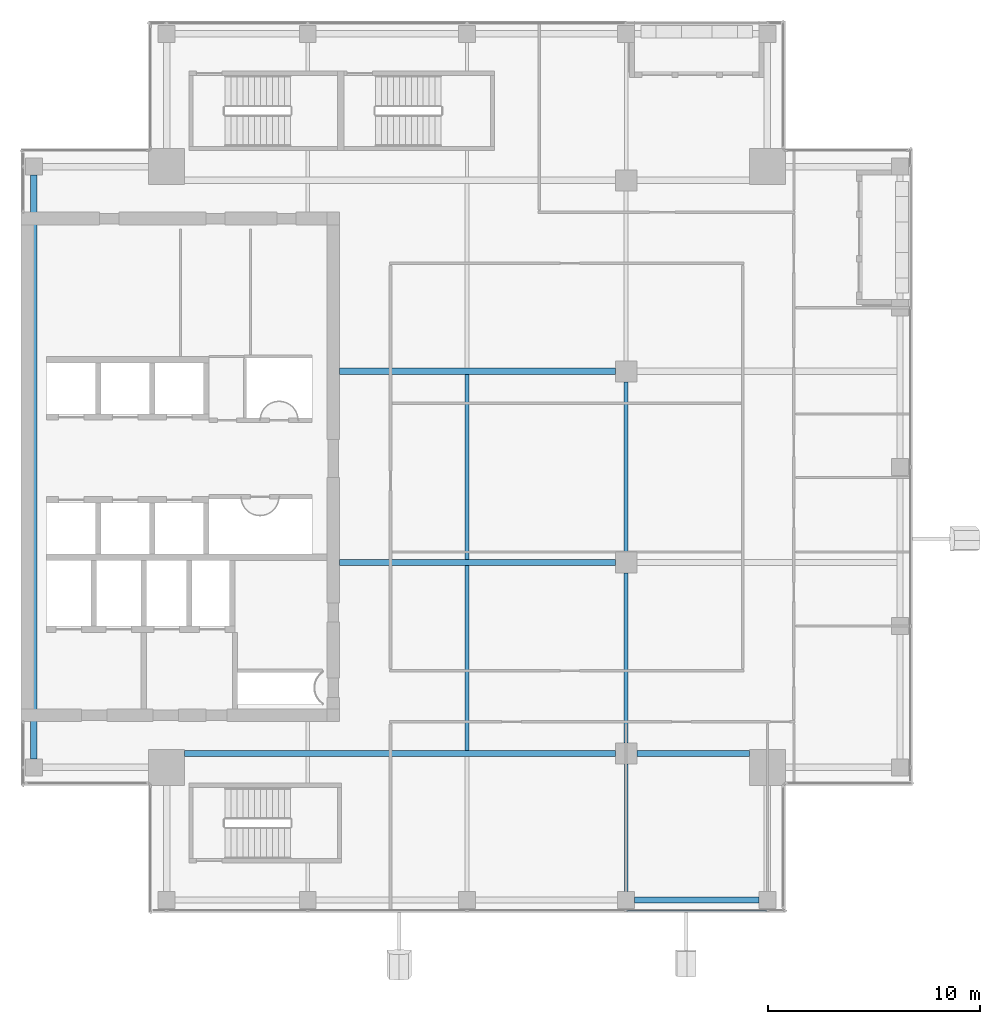
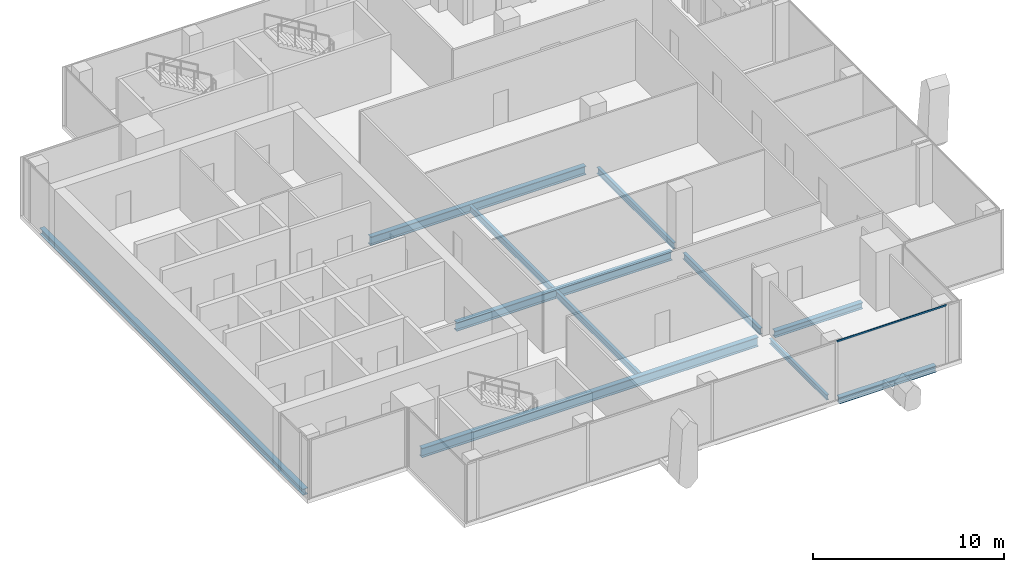
# One storey, part 6 of 28: 11 beams, 1 member, 1 element without a shape of its own.
"""IFC4 building model written with IfcOpenShell, lengths in metres."""

import ifcopenshell
import ifcopenshell.guid

model = None  # the IFC model being written
_history = None  # IfcOwnerHistory: only IFC2X3 demands one
_inside = {}  # id of a spatial element -> (the spatial element, [elements in it])
_under = {}  # id of a project, library or spatial element -> (it, [spatial elements below it])
_declared = {}  # id of a project -> (the project, [libraries it declares])
_typed = {}  # id of a type object -> (the type object, [elements of that type])
_made_of = {}  # id of a material, layer set ... -> (it, [elements and type objects made of it])


def new_model(schema):
    """Start an empty IFC model of exactly this schema.

    Asked for "IFC4X3", IfcOpenShell would pick the latest addendum, in which some entities
    have other attributes; the version numbers below select the first issue.
    IFC2X3 requires an IfcOwnerHistory on every rooted entity: one is made here for all.
    """
    global model, _history
    if schema == "IFC4X3":
        model = ifcopenshell.file(schema_version=(4, 3, 0, 0))
    else:
        model = ifcopenshell.file(schema=schema)
    _inside.clear()
    _under.clear()
    _declared.clear()
    _typed.clear()
    _made_of.clear()
    _history = None
    if model.schema == "IFC2X3":
        org = make("IfcOrganization", Name="unknown")
        user = make(
            "IfcPersonAndOrganization",
            ThePerson=make("IfcPerson", FamilyName="unknown"),
            TheOrganization=org,
        )
        app = make(
            "IfcApplication",
            ApplicationDeveloper=org,
            Version="unknown",
            ApplicationFullName="unknown",
            ApplicationIdentifier="unknown",
        )
        _history = make(
            "IfcOwnerHistory",
            OwningUser=user,
            OwningApplication=app,
            ChangeAction="ADDED",
            CreationDate=0,
        )
    return model


def make(cls, **values):
    """One entity of the class cls with the attributes given. An attribute that is None is left unset."""
    return model.create_entity(
        cls, **{name: value for name, value in values.items() if value is not None}
    )


def rooted(cls, **values):
    """An entity with a GlobalId (a new one), such as an element, a storey or a relation."""
    return make(cls, GlobalId=ifcopenshell.guid.new(), OwnerHistory=_history, **values)


def si_unit(unit_type, name, prefix=None):
    """IfcSIUnit, for example si_unit("LENGTHUNIT", "METRE", prefix="MILLI")."""
    return make("IfcSIUnit", UnitType=unit_type, Prefix=prefix, Name=name)


def assignment(units):
    """IfcUnitAssignment: the units of a project."""
    return None if units is None else make("IfcUnitAssignment", Units=units)


def point(xyz):
    """IfcCartesianPoint."""
    return None if xyz is None else make("IfcCartesianPoint", Coordinates=xyz)


def direction(xyz):
    """IfcDirection."""
    return None if xyz is None else make("IfcDirection", DirectionRatios=xyz)


def frame(location, z_axis=None, x_axis=None):
    """IfcAxis2Placement3D, a coordinate frame: its origin and axes. An axis left out is left unset."""
    return make(
        "IfcAxis2Placement3D",
        Location=point(location),
        Axis=direction(z_axis),
        RefDirection=direction(x_axis),
    )


def frame_2d(location, x_axis=None):
    """IfcAxis2Placement2D, a coordinate frame in the plane: its origin and x axis."""
    return make(
        "IfcAxis2Placement2D", Location=point(location), RefDirection=direction(x_axis)
    )


def origin():
    """The frame at (0, 0, 0) with its axes left unset."""
    return frame((0.0, 0.0, 0.0))


def origin_2d():
    """The frame at (0, 0) in the plane with its x axis left unset."""
    return frame_2d((0.0, 0.0))


def place(relative_to, where):
    """IfcLocalPlacement: puts the frame where relative to a parent placement (None: the world)."""
    return make(
        "IfcLocalPlacement", PlacementRelTo=relative_to, RelativePlacement=where
    )


def context(
    kind, dimensions, precision=None, world=None, true_north=None, identifier=None
):
    """IfcGeometricRepresentationContext, for example the 3D "Model" context."""
    return make(
        "IfcGeometricRepresentationContext",
        ContextIdentifier=identifier,
        ContextType=kind,
        CoordinateSpaceDimension=dimensions,
        Precision=precision,
        WorldCoordinateSystem=world,
        TrueNorth=true_north,
    )


def subcontext(parent, identifier, kind, view, scale=None):
    """IfcGeometricRepresentationSubContext, for example "Body" below "Model"."""
    return make(
        "IfcGeometricRepresentationSubContext",
        ContextIdentifier=identifier,
        ContextType=kind,
        ParentContext=parent,
        TargetScale=scale,
        TargetView=view,
    )


def project(units=None, contexts=None):
    """IfcProject with its units and contexts."""
    return rooted(
        "IfcProject",
        Name="project",
        RepresentationContexts=contexts,
        UnitsInContext=assignment(units),
    )


def spatial(cls, under=None, at=None, **own):
    """A site, building, storey or space (cls), placed at a placement, below another one or the project."""
    s = rooted(cls, ObjectPlacement=at, **own)
    if under is not None:
        _under.setdefault(under.id(), (under, []))[1].append(s)
    return s


def profile(cls, at=None, kind="AREA", **sizes):
    """A parametric profile (cls). Its sizes go by their IFC names, for example OverallWidth=200.0."""
    return make(cls, ProfileType=kind, Position=at, **sizes)


def hollow_rectangle(**sizes):
    """IfcRectangleHollowProfileDef."""
    return profile("IfcRectangleHollowProfileDef", **sizes)


def i_section(**sizes):
    """IfcIShapeProfileDef."""
    return profile("IfcIShapeProfileDef", **sizes)


def extrude(swept, where, along, depth):
    """IfcExtrudedAreaSolid: the profile swept, set in the frame where, extruded along a direction by depth."""
    return make(
        "IfcExtrudedAreaSolid",
        SweptArea=swept,
        Position=where,
        ExtrudedDirection=direction(along),
        Depth=depth,
    )


def shape(context_of_items, identifier, shape_type, items):
    """IfcShapeRepresentation: the items that make up one representation, for example the "Body"."""
    return make(
        "IfcShapeRepresentation",
        ContextOfItems=context_of_items,
        RepresentationIdentifier=identifier,
        RepresentationType=shape_type,
        Items=items,
    )


def source(mapping_origin, context_of_items, identifier, shape_type, items):
    """IfcRepresentationMap: a shape defined once, which mapped items show again and again."""
    return make(
        "IfcRepresentationMap",
        MappingOrigin=mapping_origin,
        MappedRepresentation=shape(context_of_items, identifier, shape_type, items),
    )


def transform(
    local_origin,
    x_axis=None,
    y_axis=None,
    z_axis=None,
    scale=None,
    scale2=None,
    scale3=None,
    uniform=True,
):
    """IfcCartesianTransformationOperator3D, or its non-uniform kind. x_axis, y_axis, z_axis: its Axis1, 2, 3."""
    if uniform:
        return make(
            "IfcCartesianTransformationOperator3D",
            Axis1=direction(x_axis),
            Axis2=direction(y_axis),
            LocalOrigin=point(local_origin),
            Scale=scale,
            Axis3=direction(z_axis),
        )
    return make(
        "IfcCartesianTransformationOperator3DnonUniform",
        Axis1=direction(x_axis),
        Axis2=direction(y_axis),
        LocalOrigin=point(local_origin),
        Scale=scale,
        Axis3=direction(z_axis),
        Scale2=scale2,
        Scale3=scale3,
    )


def mapped(mapping_source, mapping_target):
    """IfcMappedItem: shows the shape of a source again, moved by a transform."""
    return make(
        "IfcMappedItem", MappingSource=mapping_source, MappingTarget=mapping_target
    )


def material(Name=None, Category=None):
    """IfcMaterial."""
    return make("IfcMaterial", Name=Name, Category=Category)


def material_profile(
    of_material, cross_section, Name=None, Category=None, Priority=None
):
    """IfcMaterialProfile: a cross section and its material."""
    return make(
        "IfcMaterialProfile",
        Name=Name,
        Material=of_material,
        Profile=cross_section,
        Priority=Priority,
        Category=Category,
    )


def profile_set(profiles, Name=None, composite=None):
    """IfcMaterialProfileSet."""
    return make(
        "IfcMaterialProfileSet",
        Name=Name,
        MaterialProfiles=profiles,
        CompositeProfile=composite,
    )


def made_of(thing, what):
    """Note that an element or type object is made of a material, layer set ...; save() writes the relation."""
    if what is not None:
        _made_of.setdefault(what.id(), (what, []))[1].append(thing)
    return thing


def type_object(cls, material=None, **own):
    """A type object (cls), such as IfcWallType, which elements share."""
    return made_of(rooted(cls, **own), material)


def element(
    cls,
    number,
    at=None,
    inside=None,
    cuts=None,
    type_object=None,
    material=None,
    context=None,
    identifier="Body",
    shape_type=None,
    held_by="IfcProductDefinitionShape",
    body=None,
    shapes=None,
    **own,
):
    """One element of the class cls, such as IfcWall. Its Tag is "e" and its number.

    at: its placement. inside: the storey or other place that contains it. cuts: it is an
    opening in that element (IfcRelVoidsElement). A single representation is given by context,
    identifier, shape_type and body (its items); several are given by shapes. held_by: the class
    of the entity that holds the representations. save() writes the other relations.
    """
    e = rooted(cls, Tag="e%d" % number, ObjectPlacement=at, **own)
    if body is not None:
        shapes = [shape(context, identifier, shape_type, body)]
    if shapes is not None:
        e.Representation = make(held_by, Representations=shapes)
    if inside is not None:
        _inside.setdefault(inside.id(), (inside, []))[1].append(e)
    if cuts is not None:
        rooted(
            "IfcRelVoidsElement", RelatingBuildingElement=cuts, RelatedOpeningElement=e
        )
    if type_object is not None:
        _typed.setdefault(type_object.id(), (type_object, []))[1].append(e)
    return made_of(e, material)


def aggregate(whole, parts):
    """IfcRelAggregates: a whole, such as a stair, and the parts it consists of."""
    return rooted("IfcRelAggregates", RelatingObject=whole, RelatedObjects=parts)


def save(model, path):
    """Write the relations noted so far, then the file.

    IfcRelAggregates (storeys below a building ...), IfcRelContainedInSpatialStructure (elements
    in a storey), IfcRelDefinesByType, IfcRelAssociatesMaterial and IfcRelDeclares: one each for
    every whole, place, type object, material and project.
    """
    for whole, parts in _under.values():
        aggregate(whole, parts)
    for where, things in _inside.values():
        rooted(
            "IfcRelContainedInSpatialStructure",
            RelatedElements=things,
            RelatingStructure=where,
        )
    for kind, things in _typed.values():
        rooted("IfcRelDefinesByType", RelatedObjects=things, RelatingType=kind)
    for what, things in _made_of.values():
        rooted("IfcRelAssociatesMaterial", RelatedObjects=things, RelatingMaterial=what)
    for by, libraries in _declared.values():
        rooted("IfcRelDeclares", RelatingContext=by, RelatedDefinitions=libraries)
    model.write(path)


model = new_model("IFC4")

# Units and contexts
model_context = context("Model", 3, precision=1e-05, world=origin(), true_north=direction((0.0, 1.0)))
body_context = subcontext(model_context, "Body", "Model", "MODEL_VIEW")
ifc_project = project(units=[si_unit("LENGTHUNIT", "METRE"), si_unit("AREAUNIT", "SQUARE_METRE"), si_unit("VOLUMEUNIT", "CUBIC_METRE"), si_unit("PLANEANGLEUNIT", "RADIAN"), si_unit("MASSUNIT", "GRAM", prefix="KILO")], contexts=[model_context])

# Site, building, storey
site_placement = place(None, origin())
site = spatial("IfcSite", under=ifc_project, at=site_placement, CompositionType="ELEMENT")
building_placement = place(site_placement, origin())
building = spatial("IfcBuilding", under=site, at=building_placement, Name="Khomas Fold Tower", CompositionType="ELEMENT")
storey_placement = place(building_placement, frame((0.0, 0.0, 298.199951171875)))
storey = spatial("IfcBuildingStorey", under=building, at=storey_placement, Name="L67", CompositionType="ELEMENT", Elevation=298.199951171875)

# Beams
ifc_material_1 = material(Name="Steel S355", Category="steel")
ifc_material_profile_1 = material_profile(ifc_material_1, i_section(OverallWidth=0.179931640625, OverallDepth=0.39990234375, WebThickness=0.008544921875, FlangeThickness=0.013427734375, at=origin_2d()), Name="IPE 400")
ifc_profile_set_1 = profile_set([ifc_material_profile_1], Name="Steel S355")
beam_type_1 = type_object("IfcBeamType", Name="IPE 400 beam JB3", PredefinedType="BEAM", material=ifc_profile_set_1)
shared_shape_1 = source(origin(), body_context, "Body", "SweptSolid", [
    extrude(i_section(OverallWidth=0.179931640625, OverallDepth=0.39990234375, WebThickness=0.008544921875, FlangeThickness=0.013427734375, at=origin_2d()), origin(), (0.0, 0.0, 1.0), 8.7001953125),
])
for number, where, z_axis, x_axis, name in (
    (1, (27.0, 13.64990234375, -0.449951171875), (0.0, 1.0, 0.0), (-1.0, 0.0, 0.0), "JB3"),
    (2, (27.0, 22.64990234375, -0.449951171875), (0.0, 1.0, 0.0), (-1.0, 0.0, 0.0), "JB3"),
):
    element("IfcBeam", number, at=place(storey_placement, frame(where, z_axis=z_axis, x_axis=x_axis)), inside=storey, type_object=beam_type_1, Name=name, PredefinedType="BEAM", context=body_context, shape_type="MappedRepresentation", body=[
        mapped(shared_shape_1, transform((0.0, 0.0, 0.0))),
    ])
ifc_material_2 = material(Name="Steel S355", Category="steel")
ifc_material_profile_2 = material_profile(ifc_material_2, i_section(OverallWidth=0.300048828125, OverallDepth=0.39990234375, WebThickness=0.013427734375, FlangeThickness=0.02392578125, at=origin_2d()), Name="HE 400 B")
ifc_profile_set_2 = profile_set([ifc_material_profile_2], Name="Steel S355")
beam_type_2 = type_object("IfcBeamType", Name="HE 400 B spandrel SB5", PredefinedType="SPANDREL", material=ifc_profile_set_2)
shared_shape_2 = source(origin(), body_context, "Body", "SweptSolid", [
    extrude(i_section(OverallWidth=0.300048828125, OverallDepth=0.39990234375, WebThickness=0.013427734375, FlangeThickness=0.02392578125, at=origin_2d()), origin(), (0.0, 0.0, 1.0), 5.85009765625),
])
beam_1_placement = place(storey_placement, frame((34.89990234375, 6.60009765625, -0.449951171875), z_axis=(1.0, 0.0, 0.0), x_axis=(0.0, 1.0, 0.0)))
element("IfcBeam", 3, at=beam_1_placement, inside=storey, type_object=beam_type_2, Name="SB5", PredefinedType="SPANDREL", context=body_context, shape_type="MappedRepresentation", body=[
    mapped(shared_shape_2, transform((0.0, 0.0, 0.0))),
])
shared_shape_3 = source(origin(), body_context, "Body", "SweptSolid", [
    extrude(i_section(OverallWidth=0.300048828125, OverallDepth=0.39990234375, WebThickness=0.013427734375, FlangeThickness=0.02392578125, at=origin_2d()), origin(), (0.0, 0.0, 1.0), 27.5),
])
beam_2_placement = place(storey_placement, frame((6.60009765625, 13.25, -0.449951171875), z_axis=(0.0, 1.0, 0.0), x_axis=(-1.0, 0.0, 0.0)))
element("IfcBeam", 4, at=beam_2_placement, inside=storey, type_object=beam_type_2, Name="SB5", PredefinedType="SPANDREL", context=body_context, shape_type="MappedRepresentation", body=[
    mapped(shared_shape_3, transform((0.0, 0.0, 0.0))),
])
ifc_material_3 = material(Name="Steel S355", Category="steel")
ifc_material_profile_3 = material_profile(ifc_material_3, i_section(OverallWidth=0.300048828125, OverallDepth=0.60009765625, WebThickness=0.015380859375, FlangeThickness=0.030029296875, at=origin_2d()), Name="HE 600 B")
ifc_profile_set_3 = profile_set([ifc_material_profile_3], Name="Steel S355")
beam_type_3 = type_object("IfcBeamType", Name="HE 600 B beam GB5", PredefinedType="BEAM", material=ifc_profile_set_3)
shared_shape_4 = source(origin(), body_context, "Body", "SweptSolid", [
    extrude(i_section(OverallWidth=0.300048828125, OverallDepth=0.60009765625, WebThickness=0.015380859375, FlangeThickness=0.030029296875, at=origin_2d()), origin(), (0.0, 0.0, 1.0), 20.300048828125),
])
beam_3_placement = place(storey_placement, frame((13.699951171875, 13.5, -0.550048828125), z_axis=(1.0, 0.0, 0.0), x_axis=(0.0, 1.0, 0.0)))
element("IfcBeam", 5, at=beam_3_placement, inside=storey, type_object=beam_type_3, Name="GB5", PredefinedType="BEAM", context=body_context, shape_type="MappedRepresentation", body=[
    mapped(shared_shape_4, transform((0.0, 0.0, 0.0))),
])
ifc_material_4 = material(Name="Steel S355", Category="steel")
ifc_material_profile_4 = material_profile(ifc_material_4, i_section(OverallWidth=0.300048828125, OverallDepth=0.39990234375, WebThickness=0.013427734375, FlangeThickness=0.02392578125, at=origin_2d()), Name="HE 400 B")
ifc_profile_set_4 = profile_set([ifc_material_profile_4], Name="Steel S355")
beam_type_4 = type_object("IfcBeamType", Name="HE 400 B beam GB1", PredefinedType="BEAM", material=ifc_profile_set_4)
shared_shape_5 = source(origin(), body_context, "Body", "SweptSolid", [
    extrude(i_section(OverallWidth=0.300048828125, OverallDepth=0.39990234375, WebThickness=0.013427734375, FlangeThickness=0.02392578125, at=origin_2d()), origin(), (0.0, 0.0, 1.0), 5.300048828125),
])
beam_4_placement = place(storey_placement, frame((35.0, 13.5, -0.449951171875), z_axis=(1.0, 0.0, 0.0), x_axis=(0.0, 1.0, 0.0)))
element("IfcBeam", 6, at=beam_4_placement, inside=storey, type_object=beam_type_4, Name="GB1", PredefinedType="BEAM", context=body_context, shape_type="MappedRepresentation", body=[
    mapped(shared_shape_5, transform((0.0, 0.0, 0.0))),
])
ifc_material_5 = material(Name="Steel S355", Category="steel")
ifc_material_profile_5 = material_profile(ifc_material_5, i_section(OverallWidth=0.300048828125, OverallDepth=0.550048828125, WebThickness=0.014892578125, FlangeThickness=0.029052734375, at=origin_2d()), Name="HE 550 B")
ifc_profile_set_5 = profile_set([ifc_material_profile_5], Name="Steel S355")
beam_type_5 = type_object("IfcBeamType", Name="HE 550 B beam GB4", PredefinedType="BEAM", material=ifc_profile_set_5)
shared_shape_6 = source(origin(), body_context, "Body", "SweptSolid", [
    extrude(i_section(OverallWidth=0.300048828125, OverallDepth=0.550048828125, WebThickness=0.014892578125, FlangeThickness=0.029052734375, at=origin_2d()), origin(), (0.0, 0.0, 1.0), 13.0),
])
for number, where, z_axis, x_axis, name in (
    (7, (21.0, 22.5, -0.52490234375), (1.0, 0.0, 0.0), (0.0, 1.0, 0.0), "GB4"),
    (8, (21.0, 31.5, -0.52490234375), (1.0, 0.0, 0.0), (0.0, 1.0, 0.0), "GB4"),
):
    element("IfcBeam", number, at=place(storey_placement, frame(where, z_axis=z_axis, x_axis=x_axis)), inside=storey, type_object=beam_type_5, Name=name, PredefinedType="BEAM", context=body_context, shape_type="MappedRepresentation", body=[
        mapped(shared_shape_6, transform((0.0, 0.0, 0.0))),
    ])
ifc_material_6 = material(Name="Steel S355", Category="steel")
ifc_material_profile_6 = material_profile(ifc_material_6, i_section(OverallWidth=0.159912109375, OverallDepth=0.330078125, WebThickness=0.007568359375, FlangeThickness=0.011474609375, at=origin_2d()), Name="IPE 330")
ifc_profile_set_6 = profile_set([ifc_material_profile_6], Name="Steel S355")
beam_type_6 = type_object("IfcBeamType", Name="IPE 330 beam JB1", PredefinedType="BEAM", material=ifc_profile_set_6)
shared_shape_7 = source(origin(), body_context, "Body", "SweptSolid", [
    extrude(i_section(OverallWidth=0.159912109375, OverallDepth=0.330078125, WebThickness=0.007568359375, FlangeThickness=0.011474609375, at=origin_2d()), origin(), (0.0, 0.0, 1.0), 6.0),
])
beam_5_placement = place(storey_placement, frame((34.5, 7.0, -0.4150390625), z_axis=(0.0, 1.0, 0.0), x_axis=(-1.0, 0.0, 0.0)))
element("IfcBeam", 9, at=beam_5_placement, inside=storey, type_object=beam_type_6, Name="JB1", PredefinedType="BEAM", context=body_context, shape_type="MappedRepresentation", body=[
    mapped(shared_shape_7, transform((0.0, 0.0, 0.0))),
])
shared_shape_8 = source(origin(), body_context, "Body", "SweptSolid", [
    extrude(i_section(OverallWidth=0.179931640625, OverallDepth=0.39990234375, WebThickness=0.008544921875, FlangeThickness=0.013427734375, at=origin_2d()), origin(), (0.0, 0.0, 1.0), 8.0),
])
for number, where, z_axis, x_axis, name in (
    (10, (34.5, 14.0, -0.449951171875), (0.0, 1.0, 0.0), (-1.0, 0.0, 0.0), "JB3"),
    (11, (34.5, 23.0, -0.449951171875), (0.0, 1.0, 0.0), (-1.0, 0.0, 0.0), "JB3"),
):
    element("IfcBeam", number, at=place(storey_placement, frame(where, z_axis=z_axis, x_axis=x_axis)), inside=storey, type_object=beam_type_1, Name=name, PredefinedType="BEAM", context=body_context, shape_type="MappedRepresentation", body=[
        mapped(shared_shape_8, transform((0.0, 0.0, 0.0))),
    ])

# Curtain wall, member
ifc_material_7 = material(Name="Aluminium framed double glazing", Category="aluminium")
curtain_wall_type = type_object("IfcCurtainWallType", Name="SK-Unitised clear-glass wall, upper floors CW3", PredefinedType="NOTDEFINED", material=ifc_material_7)
curtain_wall_placement = place(storey_placement, origin())
curtain_wall = element("IfcCurtainWall", 12, at=curtain_wall_placement, inside=storey, type_object=curtain_wall_type, Name="CW3 run L67 00-0", PredefinedType="NOTDEFINED")
ifc_material_8 = material(Name="Aluminium", Category="aluminium")
ifc_material_profile_7 = material_profile(ifc_material_8, hollow_rectangle(XDim=0.050048828125, YDim=0.10009765625, WallThickness=0.00390625, at=origin_2d()), Name="SK-Unitised clear-glass wall, upper floors transom CW3-T")
ifc_profile_set_7 = profile_set([ifc_material_profile_7], Name="Aluminium")
member_type = type_object("IfcMemberType", Name="SK-Unitised clear-glass wall, upper floors transom CW3-T", PredefinedType="USERDEFINED", material=ifc_profile_set_7)
shared_shape_9 = source(origin(), body_context, "Body", "SweptSolid", [
    extrude(hollow_rectangle(XDim=0.050048828125, YDim=0.10009765625, WallThickness=0.00390625, at=origin_2d()), origin(), (0.0, 0.0, 1.0), 6.60009765625),
])
member_placement = place(storey_placement, frame((34.52490234375, 6.10009765625, 3.699951171875), z_axis=(1.0, 0.0, 0.0), x_axis=(0.0, 1.0, 0.0)))
member = element("IfcMember", 13, at=member_placement, type_object=member_type, Name="CW3 transom 5", ObjectType="TRANSOM", PredefinedType="USERDEFINED", context=body_context, shape_type="MappedRepresentation", body=[
    mapped(shared_shape_9, transform((0.0, 0.0, 0.0))),
])
aggregate(curtain_wall, [member])

save(model, "model.ifc")
